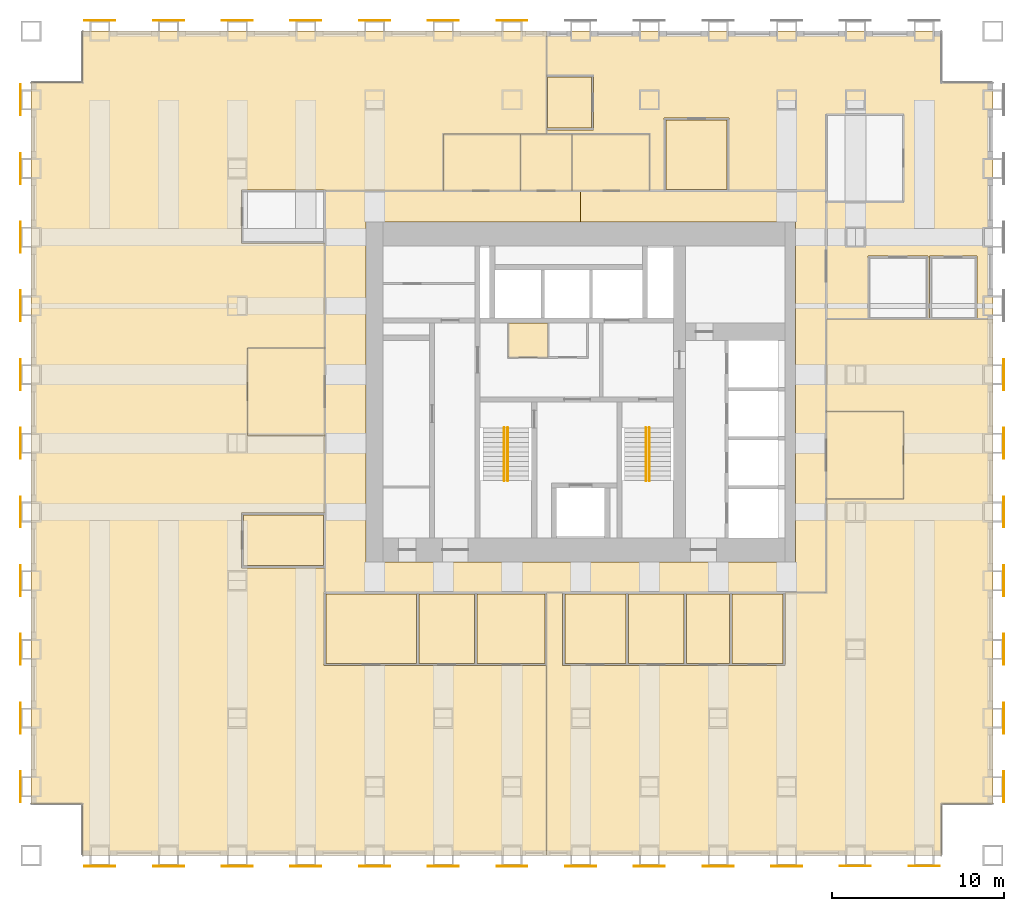
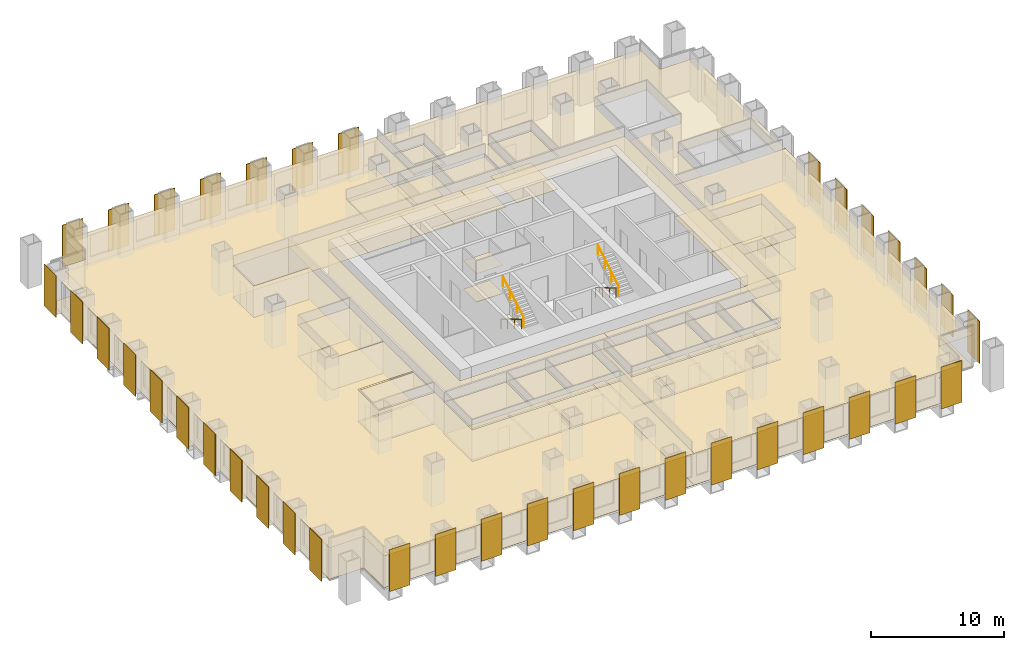
# One storey, part 13 of 14: 39 coverings, 38 shading devices, 4 railings.
"""IFC4 building model written with IfcOpenShell, lengths in metres."""

from ifc_helpers import new_model, si_unit, direction, frame, origin, origin_2d, place, context, subcontext, project, spatial, polyline, rectangle, circle, outline, extrude, material, layer, layer_set, type_object, element, save


model = new_model("IFC4")

# Units and contexts
model_context = context("Model", 3, precision=1e-05, world=origin(), true_north=direction((0.0, 1.0)))
body_context = subcontext(model_context, "Body", "Model", "MODEL_VIEW")
ifc_project = project(units=[si_unit("LENGTHUNIT", "METRE"), si_unit("AREAUNIT", "SQUARE_METRE"), si_unit("VOLUMEUNIT", "CUBIC_METRE"), si_unit("PLANEANGLEUNIT", "RADIAN"), si_unit("MASSUNIT", "GRAM", prefix="KILO")], contexts=[model_context])

# Site, building, storey
site_placement = place(None, origin())
site = spatial("IfcSite", under=ifc_project, at=site_placement, CompositionType="ELEMENT")
building_placement = place(site_placement, origin())
building = spatial("IfcBuilding", under=site, at=building_placement, Name="Rimbunsela Tower", CompositionType="ELEMENT")
storey_placement = place(building_placement, frame((0.0, 0.0, 47.0)))
storey = spatial("IfcBuildingStorey", under=building, at=storey_placement, Name="L11", CompositionType="ELEMENT", Elevation=47.0)

# Coverings
ifc_material_1 = material(Name="Nylon carpet tile", Category="textile")
ifc_layer_1 = layer(ifc_material_1, 0.010009765625)
ifc_layer_set_1 = layer_set([ifc_layer_1], Name="Carpet tile 10")
covering_type_1 = type_object("IfcCoveringType", Name="Carpet tile 10", PredefinedType="FLOORING", material=ifc_layer_set_1)
covering_1_placement = place(storey_placement, origin())
element("IfcCovering", 1, at=covering_1_placement, inside=storey, type_object=covering_type_1, Name="Floor finish Open office", PredefinedType="FLOORING", context=body_context, shape_type="SweptSolid", body=[
    extrude(outline(polyline([(20.550048828125, 11.050048828125), (23.85009765625, 11.050048828125), (23.949951171875, 11.050048828125), (27.9990234375, 11.050048828125), (27.9990234375, 0.0), (15.10009765625, 0.0), (1.0, 0.0), (1.0, 3.0), (-2.0, 3.0), (-2.0, 45.0), (1.0, 45.0), (1.0, 48.0), (15.10009765625, 48.0), (27.9990234375, 48.0), (27.9990234375, 42.0), (22.0, 42.0), (22.0, 38.699951171875), (15.14990234375, 38.699951171875), (15.14990234375, 38.75), (15.10009765625, 38.75), (10.25, 38.75), (10.25, 35.64990234375), (15.10009765625, 35.64990234375), (15.10009765625, 29.550048828125), (10.60009765625, 29.550048828125), (10.60009765625, 24.449951171875), (15.10009765625, 24.449951171875), (15.10009765625, 19.949951171875), (10.25, 19.949951171875), (10.25, 16.75), (15.10009765625, 16.75), (15.10009765625, 15.35009765625), (15.050048828125, 15.35009765625), (15.050048828125, 11.050048828125), (15.10009765625, 11.050048828125), (20.449951171875, 11.050048828125), (20.550048828125, 11.050048828125)])), origin(), (0.0, 0.0, 1.0), 0.010009765625),
])
covering_2_placement = place(storey_placement, origin())
element("IfcCovering", 2, at=covering_2_placement, inside=storey, type_object=covering_type_1, Name="Floor finish Open office", PredefinedType="FLOORING", context=body_context, shape_type="SweptSolid", body=[
    extrude(outline(polyline([(28.0009765625, 15.300048828125), (28.948974609375, 15.300048828125), (28.948974609375, 11.050048828125), (32.64892578125, 11.050048828125), (32.7490234375, 11.050048828125), (36.049072265625, 11.050048828125), (36.14892578125, 11.050048828125), (38.698974609375, 11.050048828125), (38.799072265625, 11.050048828125), (41.89892578125, 11.050048828125), (41.89892578125, 15.300048828125), (44.300048828125, 15.300048828125), (44.300048828125, 20.75), (48.800048828125, 20.75), (48.800048828125, 25.85009765625), (44.300048828125, 25.85009765625), (44.300048828125, 31.2490234375), (54.0, 31.2490234375), (54.0, 3.0), (51.0, 3.0), (51.0, 0.0), (44.300048828125, 0.0), (28.0009765625, 0.0), (28.0009765625, 15.300048828125)])), origin(), (0.0, 0.0, 1.0), 0.010009765625),
])
covering_3_placement = place(storey_placement, origin())
element("IfcCovering", 3, at=covering_3_placement, inside=storey, type_object=covering_type_1, Name="Floor finish Reception", PredefinedType="FLOORING", context=body_context, shape_type="SweptSolid", body=[
    extrude(outline(polyline([(15.10009765625, 24.449951171875), (15.10009765625, 29.550048828125), (10.60009765625, 29.550048828125), (10.60009765625, 24.449951171875), (15.10009765625, 24.449951171875)])), origin(), (0.0, 0.0, 1.0), 0.010009765625),
])
covering_4_placement = place(storey_placement, origin())
element("IfcCovering", 4, at=covering_4_placement, inside=storey, type_object=covering_type_1, Name="Floor finish Reception", PredefinedType="FLOORING", context=body_context, shape_type="SweptSolid", body=[
    extrude(outline(polyline([(48.800048828125, 20.75), (48.800048828125, 25.85009765625), (44.300048828125, 25.85009765625), (44.300048828125, 20.75), (48.800048828125, 20.75)])), origin(), (0.0, 0.0, 1.0), 0.010009765625),
])
covering_5_placement = place(storey_placement, origin())
element("IfcCovering", 5, at=covering_5_placement, inside=storey, type_object=covering_type_1, Name="Floor finish Meeting room", PredefinedType="FLOORING", context=body_context, shape_type="SweptSolid", body=[
    extrude(outline(polyline([(20.425048828125, 11.175048828125), (20.425048828125, 15.22509765625), (15.175048828125, 15.22509765625), (15.175048828125, 11.175048828125), (20.425048828125, 11.175048828125)])), origin(), (0.0, 0.0, 1.0), 0.010009765625),
])
covering_6_placement = place(storey_placement, origin())
element("IfcCovering", 6, at=covering_6_placement, inside=storey, type_object=covering_type_1, Name="Floor finish Pantry", PredefinedType="FLOORING", context=body_context, shape_type="SweptSolid", body=[
    extrude(outline(polyline([(23.824951171875, 11.175048828125), (23.824951171875, 15.22509765625), (20.574951171875, 15.22509765625), (20.574951171875, 11.175048828125), (23.824951171875, 11.175048828125)])), origin(), (0.0, 0.0, 1.0), 0.010009765625),
])
covering_7_placement = place(storey_placement, origin())
element("IfcCovering", 7, at=covering_7_placement, inside=storey, type_object=covering_type_1, Name="Floor finish Print and copy room", PredefinedType="FLOORING", context=body_context, shape_type="SweptSolid", body=[
    extrude(outline(polyline([(27.924072265625, 11.175048828125), (27.924072265625, 15.22509765625), (23.97509765625, 15.22509765625), (23.97509765625, 11.175048828125), (27.924072265625, 11.175048828125)])), origin(), (0.0, 0.0, 1.0), 0.010009765625),
])
covering_8_placement = place(storey_placement, origin())
element("IfcCovering", 8, at=covering_8_placement, inside=storey, type_object=covering_type_1, Name="Floor finish Meeting room", PredefinedType="FLOORING", context=body_context, shape_type="SweptSolid", body=[
    extrude(outline(polyline([(32.6240234375, 11.175048828125), (32.6240234375, 15.22509765625), (29.073974609375, 15.22509765625), (29.073974609375, 11.175048828125), (32.6240234375, 11.175048828125)])), origin(), (0.0, 0.0, 1.0), 0.010009765625),
])
covering_9_placement = place(storey_placement, origin())
element("IfcCovering", 9, at=covering_9_placement, inside=storey, type_object=covering_type_1, Name="Floor finish Pantry", PredefinedType="FLOORING", context=body_context, shape_type="SweptSolid", body=[
    extrude(outline(polyline([(36.02392578125, 11.175048828125), (36.02392578125, 15.22509765625), (32.77392578125, 15.22509765625), (32.77392578125, 11.175048828125), (36.02392578125, 11.175048828125)])), origin(), (0.0, 0.0, 1.0), 0.010009765625),
])
covering_10_placement = place(storey_placement, origin())
element("IfcCovering", 10, at=covering_10_placement, inside=storey, type_object=covering_type_1, Name="Floor finish Print and copy room", PredefinedType="FLOORING", context=body_context, shape_type="SweptSolid", body=[
    extrude(outline(polyline([(38.674072265625, 11.175048828125), (38.674072265625, 15.22509765625), (36.174072265625, 15.22509765625), (36.174072265625, 11.175048828125), (38.674072265625, 11.175048828125)])), origin(), (0.0, 0.0, 1.0), 0.010009765625),
])
covering_11_placement = place(storey_placement, origin())
element("IfcCovering", 11, at=covering_11_placement, inside=storey, type_object=covering_type_1, Name="Floor finish Office", PredefinedType="FLOORING", context=body_context, shape_type="SweptSolid", body=[
    extrude(outline(polyline([(41.77392578125, 11.175048828125), (41.77392578125, 15.22509765625), (38.823974609375, 15.22509765625), (38.823974609375, 11.175048828125), (41.77392578125, 11.175048828125)])), origin(), (0.0, 0.0, 1.0), 0.010009765625),
])
covering_12_placement = place(storey_placement, origin())
element("IfcCovering", 12, at=covering_12_placement, inside=storey, type_object=covering_type_1, Name="Floor finish Office", PredefinedType="FLOORING", context=body_context, shape_type="SweptSolid", body=[
    extrude(outline(polyline([(15.02490234375, 16.875), (15.02490234375, 19.824951171875), (10.375, 19.824951171875), (10.375, 16.875), (15.02490234375, 16.875)])), origin(), (0.0, 0.0, 1.0), 0.010009765625),
])
covering_13_placement = place(storey_placement, origin())
element("IfcCovering", 13, at=covering_13_placement, inside=storey, type_object=covering_type_1, Name="Floor finish Meeting room", PredefinedType="FLOORING", context=body_context, shape_type="SweptSolid", body=[
    extrude(outline(polyline([(38.52490234375, 38.77490234375), (38.52490234375, 42.824951171875), (34.97509765625, 42.824951171875), (34.97509765625, 38.77490234375), (38.52490234375, 38.77490234375)])), origin(), (0.0, 0.0, 1.0), 0.010009765625),
])
covering_14_placement = place(storey_placement, origin())
element("IfcCovering", 14, at=covering_14_placement, inside=storey, type_object=covering_type_1, Name="Floor finish Office", PredefinedType="FLOORING", context=body_context, shape_type="SweptSolid", body=[
    extrude(outline(polyline([(30.625, 42.375), (30.625, 45.324951171875), (28.074951171875, 45.324951171875), (28.074951171875, 42.375), (30.625, 42.375)])), origin(), (0.0, 0.0, 1.0), 0.010009765625),
])
ifc_material_2 = material(Name="Mineral fibre ceiling tile", Category="gypsum")
ifc_layer_2 = layer(ifc_material_2, 0.02001953125)
ifc_layer_set_2 = layer_set([ifc_layer_2], Name="Ceiling 600 grid")
covering_type_2 = type_object("IfcCoveringType", Name="Ceiling 600 grid", PredefinedType="CEILING", material=ifc_layer_set_2)
covering_15_placement = place(storey_placement, frame((0.0, 0.0, 2.89990234375)))
element("IfcCovering", 15, at=covering_15_placement, inside=storey, type_object=covering_type_2, Name="Ceiling Ring corridor", PredefinedType="CEILING", context=body_context, shape_type="SweptSolid", body=[
    extrude(outline(polyline([(15.10009765625, 38.699951171875), (30.0, 38.699951171875), (30.0, 36.89990234375), (17.5, 36.89990234375), (17.5, 17.10009765625), (30.0, 17.10009765625), (30.0, 15.300048828125), (15.10009765625, 15.300048828125), (15.10009765625, 38.699951171875)])), origin(), (0.0, 0.0, 1.0), 0.02001953125),
])
covering_16_placement = place(storey_placement, frame((0.0, 0.0, 2.89990234375)))
element("IfcCovering", 16, at=covering_16_placement, inside=storey, type_object=covering_type_2, Name="Ceiling Ring corridor", PredefinedType="CEILING", context=body_context, shape_type="SweptSolid", body=[
    extrude(outline(polyline([(44.300048828125, 38.699951171875), (44.300048828125, 15.300048828125), (30.0, 15.300048828125), (30.0, 17.10009765625), (42.5, 17.10009765625), (42.5, 36.89990234375), (30.0, 36.89990234375), (30.0, 38.699951171875), (44.300048828125, 38.699951171875)])), origin(), (0.0, 0.0, 1.0), 0.02001953125),
])
covering_17_placement = place(storey_placement, frame((0.0, 0.0, 2.89990234375)))
element("IfcCovering", 17, at=covering_17_placement, inside=storey, type_object=covering_type_2, Name="Ceiling Open office", PredefinedType="CEILING", context=body_context, shape_type="SweptSolid", body=[
    extrude(outline(polyline([(20.550048828125, 11.050048828125), (23.85009765625, 11.050048828125), (23.949951171875, 11.050048828125), (27.9990234375, 11.050048828125), (27.9990234375, 0.0), (15.10009765625, 0.0), (1.0, 0.0), (1.0, 3.0), (-2.0, 3.0), (-2.0, 45.0), (1.0, 45.0), (1.0, 48.0), (15.10009765625, 48.0), (27.9990234375, 48.0), (27.9990234375, 42.0), (22.0, 42.0), (22.0, 38.699951171875), (15.14990234375, 38.699951171875), (15.14990234375, 38.75), (15.10009765625, 38.75), (10.25, 38.75), (10.25, 35.64990234375), (15.10009765625, 35.64990234375), (15.10009765625, 29.550048828125), (10.60009765625, 29.550048828125), (10.60009765625, 24.449951171875), (15.10009765625, 24.449951171875), (15.10009765625, 19.949951171875), (10.25, 19.949951171875), (10.25, 16.75), (15.10009765625, 16.75), (15.10009765625, 15.35009765625), (15.050048828125, 15.35009765625), (15.050048828125, 11.050048828125), (15.10009765625, 11.050048828125), (20.449951171875, 11.050048828125), (20.550048828125, 11.050048828125)])), origin(), (0.0, 0.0, 1.0), 0.02001953125),
])
covering_18_placement = place(storey_placement, frame((0.0, 0.0, 2.89990234375)))
element("IfcCovering", 18, at=covering_18_placement, inside=storey, type_object=covering_type_2, Name="Ceiling Open office", PredefinedType="CEILING", context=body_context, shape_type="SweptSolid", body=[
    extrude(outline(polyline([(28.0009765625, 15.300048828125), (28.948974609375, 15.300048828125), (28.948974609375, 11.050048828125), (32.64892578125, 11.050048828125), (32.7490234375, 11.050048828125), (36.049072265625, 11.050048828125), (36.14892578125, 11.050048828125), (38.698974609375, 11.050048828125), (38.799072265625, 11.050048828125), (41.89892578125, 11.050048828125), (41.89892578125, 15.300048828125), (44.300048828125, 15.300048828125), (44.300048828125, 20.75), (48.800048828125, 20.75), (48.800048828125, 25.85009765625), (44.300048828125, 25.85009765625), (44.300048828125, 31.2490234375), (54.0, 31.2490234375), (54.0, 3.0), (51.0, 3.0), (51.0, 0.0), (44.300048828125, 0.0), (28.0009765625, 0.0), (28.0009765625, 15.300048828125)])), origin(), (0.0, 0.0, 1.0), 0.02001953125),
])
covering_19_placement = place(storey_placement, frame((0.0, 0.0, 2.89990234375)))
element("IfcCovering", 19, at=covering_19_placement, inside=storey, type_object=covering_type_2, Name="Ceiling Open office", PredefinedType="CEILING", context=body_context, shape_type="SweptSolid", body=[
    extrude(outline(polyline([(44.300048828125, 38.699951171875), (38.64990234375, 38.699951171875), (38.64990234375, 42.949951171875), (34.85009765625, 42.949951171875), (34.85009765625, 38.699951171875), (34.0, 38.699951171875), (34.0, 42.0), (28.0009765625, 42.0), (28.0009765625, 42.25), (30.75, 42.25), (30.75, 45.449951171875), (28.0009765625, 45.449951171875), (28.0009765625, 48.0), (44.300048828125, 48.0), (51.0, 48.0), (51.0, 45.0), (54.0, 45.0), (54.0, 31.2509765625), (53.074951171875, 31.2509765625), (53.074951171875, 34.89990234375), (50.324951171875, 34.89990234375), (50.324951171875, 31.2509765625), (50.22509765625, 31.2509765625), (50.22509765625, 34.89990234375), (46.72509765625, 34.89990234375), (46.72509765625, 31.2509765625), (44.300048828125, 31.2509765625), (44.300048828125, 38.050048828125), (48.800048828125, 38.050048828125), (48.800048828125, 43.14990234375), (44.300048828125, 43.14990234375), (44.300048828125, 38.699951171875)])), origin(), (0.0, 0.0, 1.0), 0.02001953125),
])
covering_20_placement = place(storey_placement, frame((0.0, 0.0, 2.89990234375)))
element("IfcCovering", 20, at=covering_20_placement, inside=storey, type_object=covering_type_2, Name="Ceiling Reception", PredefinedType="CEILING", context=body_context, shape_type="SweptSolid", body=[
    extrude(outline(polyline([(15.10009765625, 24.449951171875), (15.10009765625, 29.550048828125), (10.60009765625, 29.550048828125), (10.60009765625, 24.449951171875), (15.10009765625, 24.449951171875)])), origin(), (0.0, 0.0, 1.0), 0.02001953125),
])
covering_21_placement = place(storey_placement, frame((0.0, 0.0, 2.89990234375)))
element("IfcCovering", 21, at=covering_21_placement, inside=storey, type_object=covering_type_2, Name="Ceiling Reception", PredefinedType="CEILING", context=body_context, shape_type="SweptSolid", body=[
    extrude(outline(polyline([(48.800048828125, 20.75), (48.800048828125, 25.85009765625), (44.300048828125, 25.85009765625), (44.300048828125, 20.75), (48.800048828125, 20.75)])), origin(), (0.0, 0.0, 1.0), 0.02001953125),
])
covering_22_placement = place(storey_placement, frame((0.0, 0.0, 2.89990234375)))
element("IfcCovering", 22, at=covering_22_placement, inside=storey, type_object=covering_type_2, Name="Ceiling Meeting room", PredefinedType="CEILING", context=body_context, shape_type="SweptSolid", body=[
    extrude(outline(polyline([(20.425048828125, 11.175048828125), (20.425048828125, 15.22509765625), (15.175048828125, 15.22509765625), (15.175048828125, 11.175048828125), (20.425048828125, 11.175048828125)])), origin(), (0.0, 0.0, 1.0), 0.02001953125),
])
covering_23_placement = place(storey_placement, frame((0.0, 0.0, 2.89990234375)))
element("IfcCovering", 23, at=covering_23_placement, inside=storey, type_object=covering_type_2, Name="Ceiling Pantry", PredefinedType="CEILING", context=body_context, shape_type="SweptSolid", body=[
    extrude(outline(polyline([(23.824951171875, 11.175048828125), (23.824951171875, 15.22509765625), (20.574951171875, 15.22509765625), (20.574951171875, 11.175048828125), (23.824951171875, 11.175048828125)])), origin(), (0.0, 0.0, 1.0), 0.02001953125),
])
covering_24_placement = place(storey_placement, frame((0.0, 0.0, 2.89990234375)))
element("IfcCovering", 24, at=covering_24_placement, inside=storey, type_object=covering_type_2, Name="Ceiling Print and copy room", PredefinedType="CEILING", context=body_context, shape_type="SweptSolid", body=[
    extrude(outline(polyline([(27.924072265625, 11.175048828125), (27.924072265625, 15.22509765625), (23.97509765625, 15.22509765625), (23.97509765625, 11.175048828125), (27.924072265625, 11.175048828125)])), origin(), (0.0, 0.0, 1.0), 0.02001953125),
])
covering_25_placement = place(storey_placement, frame((0.0, 0.0, 2.89990234375)))
element("IfcCovering", 25, at=covering_25_placement, inside=storey, type_object=covering_type_2, Name="Ceiling Meeting room", PredefinedType="CEILING", context=body_context, shape_type="SweptSolid", body=[
    extrude(outline(polyline([(32.6240234375, 11.175048828125), (32.6240234375, 15.22509765625), (29.073974609375, 15.22509765625), (29.073974609375, 11.175048828125), (32.6240234375, 11.175048828125)])), origin(), (0.0, 0.0, 1.0), 0.02001953125),
])
covering_26_placement = place(storey_placement, frame((0.0, 0.0, 2.89990234375)))
element("IfcCovering", 26, at=covering_26_placement, inside=storey, type_object=covering_type_2, Name="Ceiling Pantry", PredefinedType="CEILING", context=body_context, shape_type="SweptSolid", body=[
    extrude(outline(polyline([(36.02392578125, 11.175048828125), (36.02392578125, 15.22509765625), (32.77392578125, 15.22509765625), (32.77392578125, 11.175048828125), (36.02392578125, 11.175048828125)])), origin(), (0.0, 0.0, 1.0), 0.02001953125),
])
covering_27_placement = place(storey_placement, frame((0.0, 0.0, 2.89990234375)))
element("IfcCovering", 27, at=covering_27_placement, inside=storey, type_object=covering_type_2, Name="Ceiling Print and copy room", PredefinedType="CEILING", context=body_context, shape_type="SweptSolid", body=[
    extrude(outline(polyline([(38.674072265625, 11.175048828125), (38.674072265625, 15.22509765625), (36.174072265625, 15.22509765625), (36.174072265625, 11.175048828125), (38.674072265625, 11.175048828125)])), origin(), (0.0, 0.0, 1.0), 0.02001953125),
])
covering_28_placement = place(storey_placement, frame((0.0, 0.0, 2.89990234375)))
element("IfcCovering", 28, at=covering_28_placement, inside=storey, type_object=covering_type_2, Name="Ceiling Office", PredefinedType="CEILING", context=body_context, shape_type="SweptSolid", body=[
    extrude(outline(polyline([(41.77392578125, 11.175048828125), (41.77392578125, 15.22509765625), (38.823974609375, 15.22509765625), (38.823974609375, 11.175048828125), (41.77392578125, 11.175048828125)])), origin(), (0.0, 0.0, 1.0), 0.02001953125),
])
covering_29_placement = place(storey_placement, frame((0.0, 0.0, 2.89990234375)))
element("IfcCovering", 29, at=covering_29_placement, inside=storey, type_object=covering_type_2, Name="Ceiling Office", PredefinedType="CEILING", context=body_context, shape_type="SweptSolid", body=[
    extrude(outline(polyline([(15.02490234375, 16.875), (15.02490234375, 19.824951171875), (10.375, 19.824951171875), (10.375, 16.875), (15.02490234375, 16.875)])), origin(), (0.0, 0.0, 1.0), 0.02001953125),
])
covering_30_placement = place(storey_placement, frame((0.0, 0.0, 2.89990234375)))
element("IfcCovering", 30, at=covering_30_placement, inside=storey, type_object=covering_type_2, Name="Ceiling Meeting room", PredefinedType="CEILING", context=body_context, shape_type="SweptSolid", body=[
    extrude(outline(polyline([(38.52490234375, 38.77490234375), (38.52490234375, 42.824951171875), (34.97509765625, 42.824951171875), (34.97509765625, 38.77490234375), (38.52490234375, 38.77490234375)])), origin(), (0.0, 0.0, 1.0), 0.02001953125),
])
covering_31_placement = place(storey_placement, frame((0.0, 0.0, 2.89990234375)))
element("IfcCovering", 31, at=covering_31_placement, inside=storey, type_object=covering_type_2, Name="Ceiling Office", PredefinedType="CEILING", context=body_context, shape_type="SweptSolid", body=[
    extrude(outline(polyline([(30.625, 42.375), (30.625, 45.324951171875), (28.074951171875, 45.324951171875), (28.074951171875, 42.375), (30.625, 42.375)])), origin(), (0.0, 0.0, 1.0), 0.02001953125),
])
ifc_material_3 = material(Name="Moisture-resistant plasterboard ceiling", Category="gypsum")
ifc_layer_3 = layer(ifc_material_3, 0.012451171875)
ifc_layer_set_3 = layer_set([ifc_layer_3], Name="Ceiling moisture-resistant board")
covering_type_3 = type_object("IfcCoveringType", Name="Ceiling moisture-resistant board", PredefinedType="CEILING", material=ifc_layer_set_3)
covering_32_placement = place(storey_placement, frame((0.0, 0.0, 2.60009765625)))
element("IfcCovering", 32, at=covering_32_placement, inside=storey, type_object=covering_type_3, Name="Ceiling Staff WC", PredefinedType="CEILING", context=body_context, shape_type="SweptSolid", body=[
    extrude(outline(polyline([(28.10009765625, 29.0), (28.10009765625, 31.0), (25.800048828125, 31.0), (25.800048828125, 29.0), (28.10009765625, 29.0)])), origin(), (0.0, 0.0, 1.0), 0.02001953125),
])
covering_33_placement = place(storey_placement, frame((0.0, 0.0, 2.60009765625)))
element("IfcCovering", 33, at=covering_33_placement, inside=storey, type_object=covering_type_3, Name="Ceiling Female WC", PredefinedType="CEILING", context=body_context, shape_type="SweptSolid", body=[
    extrude(outline(polyline([(26.5, 38.699951171875), (26.5, 42.0), (22.0, 42.0), (22.0, 38.699951171875), (26.5, 38.699951171875)])), origin(), (0.0, 0.0, 1.0), 0.02001953125),
])
covering_34_placement = place(storey_placement, frame((0.0, 0.0, 2.60009765625)))
element("IfcCovering", 34, at=covering_34_placement, inside=storey, type_object=covering_type_3, Name="Ceiling Accessible WC", PredefinedType="CEILING", context=body_context, shape_type="SweptSolid", body=[
    extrude(outline(polyline([(29.5, 38.699951171875), (29.5, 42.0), (26.5, 42.0), (26.5, 38.699951171875), (29.5, 38.699951171875)])), origin(), (0.0, 0.0, 1.0), 0.02001953125),
])
covering_35_placement = place(storey_placement, frame((0.0, 0.0, 2.60009765625)))
element("IfcCovering", 35, at=covering_35_placement, inside=storey, type_object=covering_type_3, Name="Ceiling Male WC", PredefinedType="CEILING", context=body_context, shape_type="SweptSolid", body=[
    extrude(outline(polyline([(34.0, 38.699951171875), (34.0, 42.0), (29.5, 42.0), (29.5, 38.699951171875), (34.0, 38.699951171875)])), origin(), (0.0, 0.0, 1.0), 0.02001953125),
])
ifc_material_4 = material(Name="Porcelain floor tile in adhesive bed", Category="ceramic")
ifc_layer_4 = layer(ifc_material_4, 0.02001953125)
ifc_layer_set_4 = layer_set([ifc_layer_4], Name="Porcelain tile 20")
covering_type_4 = type_object("IfcCoveringType", Name="Porcelain tile 20", PredefinedType="FLOORING", material=ifc_layer_set_4)
covering_36_placement = place(storey_placement, origin())
element("IfcCovering", 36, at=covering_36_placement, inside=storey, type_object=covering_type_4, Name="Floor finish Staff WC", PredefinedType="FLOORING", context=body_context, shape_type="SweptSolid", body=[
    extrude(outline(polyline([(28.10009765625, 29.0), (28.10009765625, 31.0), (25.800048828125, 31.0), (25.800048828125, 29.0), (28.10009765625, 29.0)])), origin(), (0.0, 0.0, 1.0), 0.02001953125),
])
covering_37_placement = place(storey_placement, origin())
element("IfcCovering", 37, at=covering_37_placement, inside=storey, type_object=covering_type_4, Name="Floor finish Female WC", PredefinedType="FLOORING", context=body_context, shape_type="SweptSolid", body=[
    extrude(outline(polyline([(26.5, 38.699951171875), (26.5, 42.0), (22.0, 42.0), (22.0, 38.699951171875), (26.5, 38.699951171875)])), origin(), (0.0, 0.0, 1.0), 0.02001953125),
])
covering_38_placement = place(storey_placement, origin())
element("IfcCovering", 38, at=covering_38_placement, inside=storey, type_object=covering_type_4, Name="Floor finish Accessible WC", PredefinedType="FLOORING", context=body_context, shape_type="SweptSolid", body=[
    extrude(outline(polyline([(29.5, 38.699951171875), (29.5, 42.0), (26.5, 42.0), (26.5, 38.699951171875), (29.5, 38.699951171875)])), origin(), (0.0, 0.0, 1.0), 0.02001953125),
])
covering_39_placement = place(storey_placement, origin())
element("IfcCovering", 39, at=covering_39_placement, inside=storey, type_object=covering_type_4, Name="Floor finish Male WC", PredefinedType="FLOORING", context=body_context, shape_type="SweptSolid", body=[
    extrude(outline(polyline([(34.0, 38.699951171875), (34.0, 42.0), (29.5, 42.0), (29.5, 38.699951171875), (34.0, 38.699951171875)])), origin(), (0.0, 0.0, 1.0), 0.02001953125),
])

# Shading devices
ifc_material_5 = material(Name="Perforated aluminium, 35 % open area", Category="aluminium")
ifc_layer_5 = layer(ifc_material_5, 0.050048828125)
ifc_layer_set_5 = layer_set([ifc_layer_5], Name="Solar screen panel 1800")
shading_device_type = type_object("IfcShadingDeviceType", Name="Solar screen panel 1800", PredefinedType="USERDEFINED", material=ifc_layer_set_5)
for number, where, z_axis, x_axis, name in (
    (40, (2.0, -0.625, 0.0), (0.0, 0.0, 1.0), (1.0, 0.0, 0.0), "Solar screen S L11"),
    (41, (6.0, -0.625, 0.0), (0.0, 0.0, 1.0), (1.0, 0.0, 0.0), "Solar screen S L11"),
    (42, (10.0, -0.625, 0.0), (0.0, 0.0, 1.0), (1.0, 0.0, 0.0), "Solar screen S L11"),
    (43, (14.0, -0.625, 0.0), (0.0, 0.0, 1.0), (1.0, 0.0, 0.0), "Solar screen S L11"),
    (44, (18.0, -0.625, 0.0), (0.0, 0.0, 1.0), (1.0, 0.0, 0.0), "Solar screen S L11"),
    (45, (22.0, -0.625, 0.0), (0.0, 0.0, 1.0), (1.0, 0.0, 0.0), "Solar screen S L11"),
    (46, (26.0, -0.625, 0.0), (0.0, 0.0, 1.0), (1.0, 0.0, 0.0), "Solar screen S L11"),
    (47, (30.0, -0.625, 0.0), (0.0, 0.0, 1.0), (1.0, 0.0, 0.0), "Solar screen S L11"),
    (48, (34.0, -0.625, 0.0), (0.0, 0.0, 1.0), (1.0, 0.0, 0.0), "Solar screen S L11"),
    (49, (38.0, -0.625, 0.0), (0.0, 0.0, 1.0), (1.0, 0.0, 0.0), "Solar screen S L11"),
    (50, (42.0, -0.625, 0.0), (0.0, 0.0, 1.0), (1.0, 0.0, 0.0), "Solar screen S L11"),
    (51, (46.0, -0.625, 0.0), (0.0, 0.0, 1.0), (1.0, 0.0, 0.0), "Solar screen S L11"),
    (52, (50.0, -0.625, 0.0), (0.0, 0.0, 1.0), (1.0, 0.0, 0.0), "Solar screen S L11"),
    (53, (54.625, 4.0, 0.0), (0.0, 0.0, 1.0), (0.0, 1.0, 0.0), "Solar screen E L11"),
    (54, (54.625, 8.0, 0.0), (0.0, 0.0, 1.0), (0.0, 1.0, 0.0), "Solar screen E L11"),
    (55, (54.625, 12.0, 0.0), (0.0, 0.0, 1.0), (0.0, 1.0, 0.0), "Solar screen E L11"),
    (56, (54.625, 16.0, 0.0), (0.0, 0.0, 1.0), (0.0, 1.0, 0.0), "Solar screen E L11"),
    (57, (54.625, 20.0, 0.0), (0.0, 0.0, 1.0), (0.0, 1.0, 0.0), "Solar screen E L11"),
    (58, (54.625, 24.0, 0.0), (0.0, 0.0, 1.0), (0.0, 1.0, 0.0), "Solar screen E L11"),
    (59, (54.625, 28.0, 0.0), (0.0, 0.0, 1.0), (0.0, 1.0, 0.0), "Solar screen E L11"),
    (60, (2.0, 48.625, 0.0), (0.0, 0.0, 1.0), (1.0, 0.0, 0.0), "Solar screen N L11"),
    (61, (6.0, 48.625, 0.0), (0.0, 0.0, 1.0), (1.0, 0.0, 0.0), "Solar screen N L11"),
    (62, (10.0, 48.625, 0.0), (0.0, 0.0, 1.0), (1.0, 0.0, 0.0), "Solar screen N L11"),
    (63, (14.0, 48.625, 0.0), (0.0, 0.0, 1.0), (1.0, 0.0, 0.0), "Solar screen N L11"),
    (64, (18.0, 48.625, 0.0), (0.0, 0.0, 1.0), (1.0, 0.0, 0.0), "Solar screen N L11"),
    (65, (22.0, 48.625, 0.0), (0.0, 0.0, 1.0), (1.0, 0.0, 0.0), "Solar screen N L11"),
    (66, (26.0, 48.625, 0.0), (0.0, 0.0, 1.0), (1.0, 0.0, 0.0), "Solar screen N L11"),
    (67, (-2.625, 4.0, 0.0), (0.0, 0.0, 1.0), (0.0, 1.0, 0.0), "Solar screen W L11"),
    (68, (-2.625, 8.0, 0.0), (0.0, 0.0, 1.0), (0.0, 1.0, 0.0), "Solar screen W L11"),
    (69, (-2.625, 12.0, 0.0), (0.0, 0.0, 1.0), (0.0, 1.0, 0.0), "Solar screen W L11"),
    (70, (-2.625, 16.0, 0.0), (0.0, 0.0, 1.0), (0.0, 1.0, 0.0), "Solar screen W L11"),
    (71, (-2.625, 20.0, 0.0), (0.0, 0.0, 1.0), (0.0, 1.0, 0.0), "Solar screen W L11"),
    (72, (-2.625, 24.0, 0.0), (0.0, 0.0, 1.0), (0.0, 1.0, 0.0), "Solar screen W L11"),
    (73, (-2.625, 28.0, 0.0), (0.0, 0.0, 1.0), (0.0, 1.0, 0.0), "Solar screen W L11"),
    (74, (-2.625, 32.0, 0.0), (0.0, 0.0, 1.0), (0.0, 1.0, 0.0), "Solar screen W L11"),
    (75, (-2.625, 36.0, 0.0), (0.0, 0.0, 1.0), (0.0, 1.0, 0.0), "Solar screen W L11"),
    (76, (-2.625, 40.0, 0.0), (0.0, 0.0, 1.0), (0.0, 1.0, 0.0), "Solar screen W L11"),
    (77, (-2.625, 44.0, 0.0), (0.0, 0.0, 1.0), (0.0, 1.0, 0.0), "Solar screen W L11"),
):
    element("IfcShadingDevice", number, at=place(storey_placement, frame(where, z_axis=z_axis, x_axis=x_axis)), inside=storey, type_object=shading_device_type, Name=name, ObjectType="SCREEN", PredefinedType="USERDEFINED", context=body_context, shape_type="SweptSolid", body=[
        extrude(rectangle(XDim=1.800048828125, YDim=0.050048828125, at=origin_2d()), origin(), (0.0, 0.0, 1.0), 3.85009765625),
    ])

# Railings
ifc_material_6 = material(Name="Stainless steel tube", Category="steel")
railing_type = type_object("IfcRailingType", Name="Stair handrail 900", PredefinedType="HANDRAIL", material=ifc_material_6)
railing_1_placement = place(storey_placement, frame((25.550048828125, 24.89990234375, 0.166748046875)))
element("IfcRailing", 78, at=railing_1_placement, inside=storey, type_object=railing_type, Name="Handrail ST-A flight 1", PredefinedType="HANDRAIL", context=body_context, shape_type="SweptSolid", body=[
    extrude(circle(Radius=0.02392578125, at=origin_2d()), frame((0.0, 0.0, 0.8759765625), z_axis=(0.0, -0.859290745958, 0.51148745235), x_axis=(1.0, 0.0, 0.0)), (0.0, 0.0, 1.0), 3.584228515625),
    extrude(circle(Radius=0.02099609375, at=origin_2d()), origin(), (0.0, 0.0, 1.0), 0.851806640625),
    extrude(circle(Radius=0.02099609375, at=origin_2d()), frame((0.0, -1.026611328125, 0.611083984375)), (0.0, 0.0, 1.0), 0.851806640625),
    extrude(circle(Radius=0.02099609375, at=origin_2d()), frame((0.0, -2.05322265625, 1.22216796875)), (0.0, 0.0, 1.0), 0.851806640625),
    extrude(circle(Radius=0.02099609375, at=origin_2d()), frame((0.0, -3.079833984375, 1.833251953125)), (0.0, 0.0, 1.0), 0.851806640625),
])
railing_2_placement = place(storey_placement, frame((25.75, 21.820068359375, 2.166748046875)))
element("IfcRailing", 79, at=railing_2_placement, inside=storey, type_object=railing_type, Name="Handrail ST-A flight 2", PredefinedType="HANDRAIL", context=body_context, shape_type="SweptSolid", body=[
    extrude(circle(Radius=0.02392578125, at=origin_2d()), frame((0.0, 0.0, 0.8759765625), z_axis=(0.0, 0.859290745958, 0.51148745235), x_axis=(-1.0, 0.0, 0.0)), (0.0, 0.0, 1.0), 3.584228515625),
    extrude(circle(Radius=0.02099609375, at=origin_2d()), origin(), (0.0, 0.0, 1.0), 0.851806640625),
    extrude(circle(Radius=0.02099609375, at=origin_2d()), frame((0.0, 1.026611328125, 0.611083984375)), (0.0, 0.0, 1.0), 0.851806640625),
    extrude(circle(Radius=0.02099609375, at=origin_2d()), frame((0.0, 2.05322265625, 1.22216796875)), (0.0, 0.0, 1.0), 0.851806640625),
    extrude(circle(Radius=0.02099609375, at=origin_2d()), frame((0.0, 3.079833984375, 1.833251953125)), (0.0, 0.0, 1.0), 0.851806640625),
])
railing_3_placement = place(storey_placement, frame((33.800048828125, 24.89990234375, 0.166748046875)))
element("IfcRailing", 80, at=railing_3_placement, inside=storey, type_object=railing_type, Name="Handrail ST-B flight 1", PredefinedType="HANDRAIL", context=body_context, shape_type="SweptSolid", body=[
    extrude(circle(Radius=0.02392578125, at=origin_2d()), frame((0.0, 0.0, 0.8759765625), z_axis=(0.0, -0.859290745958, 0.51148745235), x_axis=(1.0, 0.0, 0.0)), (0.0, 0.0, 1.0), 3.584228515625),
    extrude(circle(Radius=0.02099609375, at=origin_2d()), origin(), (0.0, 0.0, 1.0), 0.851806640625),
    extrude(circle(Radius=0.02099609375, at=origin_2d()), frame((0.0, -1.026611328125, 0.611083984375)), (0.0, 0.0, 1.0), 0.851806640625),
    extrude(circle(Radius=0.02099609375, at=origin_2d()), frame((0.0, -2.05322265625, 1.22216796875)), (0.0, 0.0, 1.0), 0.851806640625),
    extrude(circle(Radius=0.02099609375, at=origin_2d()), frame((0.0, -3.079833984375, 1.833251953125)), (0.0, 0.0, 1.0), 0.851806640625),
])
railing_4_placement = place(storey_placement, frame((34.0, 21.820068359375, 2.166748046875)))
element("IfcRailing", 81, at=railing_4_placement, inside=storey, type_object=railing_type, Name="Handrail ST-B flight 2", PredefinedType="HANDRAIL", context=body_context, shape_type="SweptSolid", body=[
    extrude(circle(Radius=0.02392578125, at=origin_2d()), frame((0.0, 0.0, 0.8759765625), z_axis=(0.0, 0.859290745958, 0.51148745235), x_axis=(-1.0, 0.0, 0.0)), (0.0, 0.0, 1.0), 3.584228515625),
    extrude(circle(Radius=0.02099609375, at=origin_2d()), origin(), (0.0, 0.0, 1.0), 0.851806640625),
    extrude(circle(Radius=0.02099609375, at=origin_2d()), frame((0.0, 1.026611328125, 0.611083984375)), (0.0, 0.0, 1.0), 0.851806640625),
    extrude(circle(Radius=0.02099609375, at=origin_2d()), frame((0.0, 2.05322265625, 1.22216796875)), (0.0, 0.0, 1.0), 0.851806640625),
    extrude(circle(Radius=0.02099609375, at=origin_2d()), frame((0.0, 3.079833984375, 1.833251953125)), (0.0, 0.0, 1.0), 0.851806640625),
])

save(model, "model.ifc")
